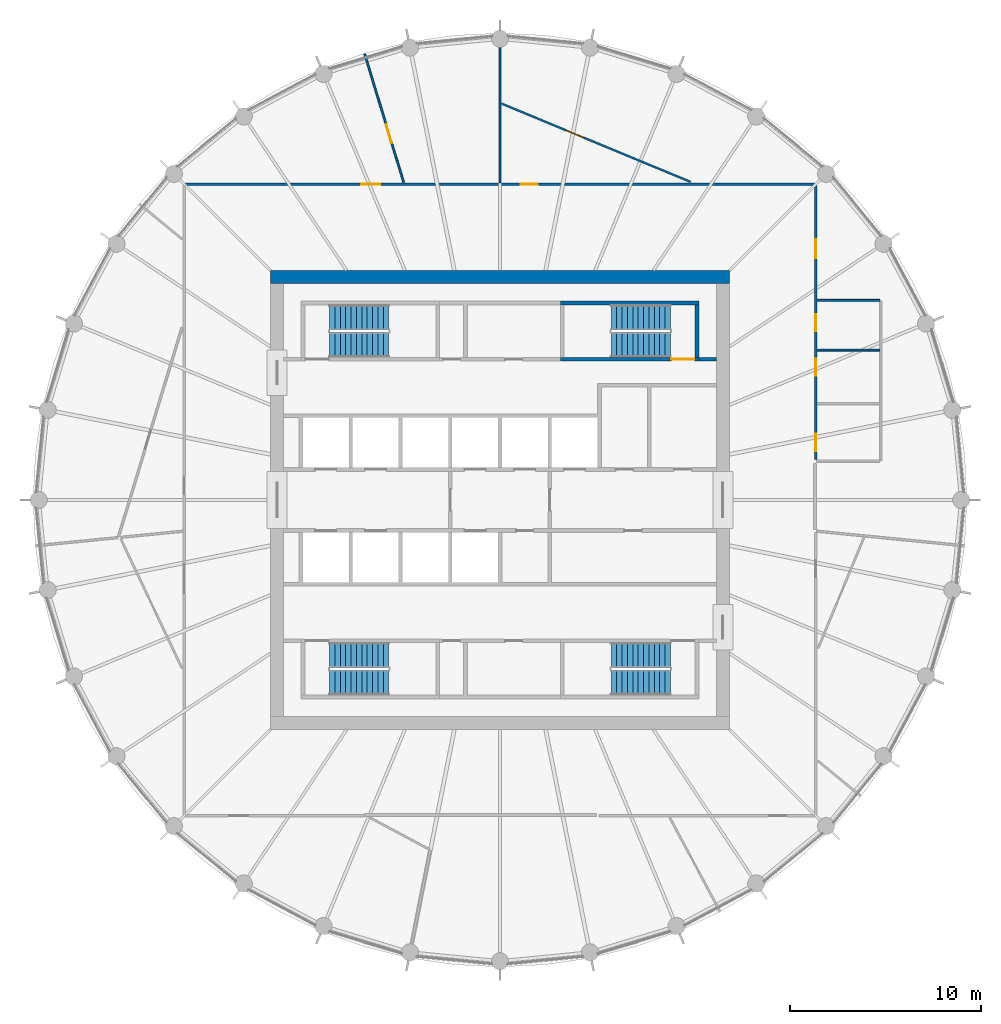
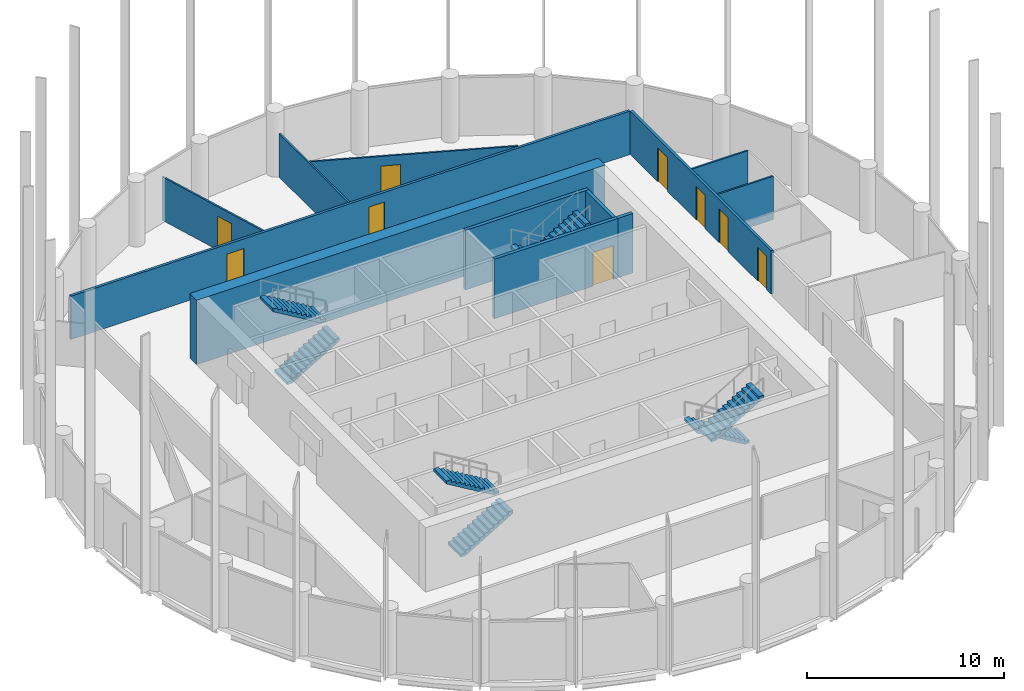
# One storey, part 6 of 7: 12 walls, 9 doors, 8 stair flights, 9 openings, 4 elements without a shape of their own.
"""IFC4 building model written with IfcOpenShell, lengths in metres."""

from ifc_helpers import new_model, si_unit, direction, frame, frame_2d, origin, place, context, subcontext, project, spatial, polyline, rectangle, outline, extrude, material, layer, layer_set, type_object, element, fill, aggregate, save


model = new_model("IFC4")

# Units and contexts
model_context = context("Model", 3, precision=1e-05, world=origin(), true_north=direction((0.0, 1.0)))
body_context = subcontext(model_context, "Body", "Model", "MODEL_VIEW")
ifc_project = project(units=[si_unit("LENGTHUNIT", "METRE"), si_unit("AREAUNIT", "SQUARE_METRE"), si_unit("VOLUMEUNIT", "CUBIC_METRE"), si_unit("PLANEANGLEUNIT", "RADIAN"), si_unit("MASSUNIT", "GRAM", prefix="KILO")], contexts=[model_context])

# Site, building, storey
site_placement = place(None, origin())
site = spatial("IfcSite", under=ifc_project, at=site_placement, CompositionType="ELEMENT")
building_placement = place(site_placement, origin())
building = spatial("IfcBuilding", under=site, at=building_placement, Name="Corvane Civic Tower", CompositionType="ELEMENT")
storey_placement = place(building_placement, frame((0.0, 0.0, 279.0)))
storey = spatial("IfcBuildingStorey", under=building, at=storey_placement, Name="L66", CompositionType="ELEMENT", Elevation=279.0)

# Walls
ifc_material_1 = material(Name="Concrete C40/50", Category="concrete")
ifc_layer_1 = layer(ifc_material_1, 0.699951171875)
ifc_layer_set_1 = layer_set([ifc_layer_1], Name="Concrete C40/50")
wall_type_1 = type_object("IfcWallType", Name="CORE WALL 700 C40/50", PredefinedType="SHEAR", material=ifc_layer_set_1)
wall_1_placement = place(storey_placement, frame((-12.0, 11.64990234375, 0.0), z_axis=(0.0, 0.0, 1.0), x_axis=(1.0, 0.0, 0.0)))
element("IfcWall", 1, at=wall_1_placement, inside=storey, type_object=wall_type_1, Name="W-L66-core-N", PredefinedType="SHEAR", context=body_context, shape_type="SweptSolid", body=[
    extrude(rectangle(XDim=24.0, YDim=0.699951171875, at=frame_2d((12.0, 0.0))), origin(), (0.0, 0.0, 1.0), 4.0),
])
ifc_material_2 = material(Name="Concrete C30/37", Category="concrete")
ifc_layer_2 = layer(ifc_material_2, 0.199951171875)
ifc_layer_set_2 = layer_set([ifc_layer_2], Name="Concrete C30/37")
wall_type_2 = type_object("IfcWallType", Name="CR-WALL-200", PredefinedType="PARTITIONING", material=ifc_layer_set_2)
wall_2_placement = place(storey_placement, origin())
element("IfcWall", 2, at=wall_2_placement, inside=storey, type_object=wall_type_2, Name="L66 core partition wall", PredefinedType="PARTITIONING", context=body_context, shape_type="SweptSolid", body=[
    extrude(outline(polyline([(10.39990234375, 7.25), (10.39990234375, 7.449951171875), (11.300048828125, 7.449951171875), (11.300048828125, 7.25), (10.39990234375, 7.25)])), origin(), (0.0, 0.0, 1.0), 3.699951171875),
])
ifc_material_3 = material(Name="Plasterboard")
ifc_layer_3 = layer(ifc_material_3, 0.10009765625)
ifc_layer_set_3 = layer_set([ifc_layer_3], Name="Plasterboard")
wall_type_3 = type_object("IfcWallType", Name="Partition 100 plasterboard on studs", PredefinedType="PARTITIONING", material=ifc_layer_set_3)
for number, where, z_axis, x_axis, name in (
    (3, (16.574951171875, 7.831298828125, 0.0), (0.0, 0.0, 1.0), (1.0, 0.0, 0.0), "Partition L66.021"),
    (4, (16.574951171875, 10.431396484375, 0.0), (0.0, 0.0, 1.0), (1.0, 0.0, 0.0), "Partition L66.023"),
):
    element("IfcWall", number, at=place(storey_placement, frame(where, z_axis=z_axis, x_axis=x_axis)), inside=storey, type_object=wall_type_3, Name=name, PredefinedType="PARTITIONING", context=body_context, shape_type="SweptSolid", body=[
        extrude(rectangle(XDim=3.275146484375, YDim=0.10009765625, at=frame_2d((1.6376953125, 0.0))), origin(), (0.0, 0.0, 1.0), 2.699951171875),
    ])
wall_3_placement = place(storey_placement, frame((0.0, 16.574951171875, 0.0), z_axis=(0.0, 0.0, 1.0), x_axis=(0.0, 1.0, 0.0)))
element("IfcWall", 5, at=wall_3_placement, inside=storey, type_object=wall_type_3, Name="Partition L66.026", PredefinedType="PARTITIONING", context=body_context, shape_type="SweptSolid", body=[
    extrude(rectangle(XDim=7.065185546875, YDim=0.10009765625, at=frame_2d((3.53271484375, 0.0))), origin(), (0.0, 0.0, 1.0), 2.699951171875),
])

# Wall, opening, door
wall_4_placement = place(storey_placement, frame((-7.068603515625, 23.3017578125, 0.0), z_axis=(0.0, 0.0, 1.0), x_axis=(0.290287534013, -0.956939469139, 0.0)))
wall_4 = element("IfcWall", 6, at=wall_4_placement, inside=storey, type_object=wall_type_3, Name="Partition L66.027", PredefinedType="PARTITIONING", context=body_context, shape_type="SweptSolid", body=[
    extrude(rectangle(XDim=7.01416015625, YDim=0.10009765625, at=frame_2d((3.507080078125, 0.0))), origin(), (0.0, 0.0, 1.0), 2.699951171875),
])
opening_1_placement = place(wall_4_placement, frame((3.8544921875, 0.0, 0.0)))
opening_1 = element("IfcOpeningElement", 7, at=opening_1_placement, cuts=wall_4, Name="Opening L66.015", PredefinedType="OPENING", context=body_context, shape_type="SweptSolid", body=[
    extrude(rectangle(XDim=1.0, YDim=2.10009765625, at=frame_2d((0.5, 1.050048828125))), frame((0.0, 0.06005859375, 0.0), z_axis=(0.0, -1.0, 0.0), x_axis=(1.0, 0.0, 0.0)), (0.0, 0.0, 1.0), 0.1201171875),
])
ifc_material_4 = material(Name="Timber", Category="wood")
door_type_1 = type_object("IfcDoorType", Name="Single door 1000", OperationType="NOTDEFINED", PredefinedType="DOOR", material=ifc_material_4)
door_1_placement = place(opening_1_placement, origin())
door_1 = element("IfcDoor", 8, at=door_1_placement, inside=storey, type_object=door_type_1, Name="Door L66.015", OperationType="SINGLE_SWING_LEFT", OverallHeight=2.10009765625, OverallWidth=1.0, PredefinedType="DOOR", context=body_context, shape_type="SweptSolid", body=[
    extrude(rectangle(XDim=1.0, YDim=2.10009765625, at=frame_2d((0.5, 1.050048828125))), frame((0.0, 0.02490234375, 0.0), z_axis=(0.0, -1.0, 0.0), x_axis=(1.0, 0.0, 0.0)), (0.0, 0.0, 1.0), 0.050048828125),
])
fill(opening_1, door_1)

wall_5_placement = place(storey_placement, frame((0.069091796875, 20.71728515625, 0.0), z_axis=(0.0, 0.0, 1.0), x_axis=(0.923877277296, -0.382688876891, 0.0)))
wall_5 = element("IfcWall", 9, at=wall_5_placement, inside=storey, type_object=wall_type_3, Name="Partition L66.028", PredefinedType="PARTITIONING", context=body_context, shape_type="SweptSolid", body=[
    extrude(rectangle(XDim=10.70361328125, YDim=0.10009765625, at=frame_2d((5.351806640625, 0.0))), origin(), (0.0, 0.0, 1.0), 2.699951171875),
])
opening_2_placement = place(wall_5_placement, frame((3.651123046875, 0.0, 0.0)))
opening_2 = element("IfcOpeningElement", 10, at=opening_2_placement, cuts=wall_5, Name="Opening L66.016", PredefinedType="OPENING", context=body_context, shape_type="SweptSolid", body=[
    extrude(rectangle(XDim=1.0, YDim=2.10009765625, at=frame_2d((0.5, 1.050048828125))), frame((0.0, 0.06005859375, 0.0), z_axis=(0.0, -1.0, 0.0), x_axis=(1.0, 0.0, 0.0)), (0.0, 0.0, 1.0), 0.1201171875),
])
door_2_placement = place(opening_2_placement, origin())
door_2 = element("IfcDoor", 11, at=door_2_placement, inside=storey, type_object=door_type_1, Name="Door L66.016", OperationType="SINGLE_SWING_LEFT", OverallHeight=2.10009765625, OverallWidth=1.0, PredefinedType="DOOR", context=body_context, shape_type="SweptSolid", body=[
    extrude(rectangle(XDim=1.0, YDim=2.10009765625, at=frame_2d((0.5, 1.050048828125))), frame((0.0, 0.02490234375, 0.0), z_axis=(0.0, -1.0, 0.0), x_axis=(1.0, 0.0, 0.0)), (0.0, 0.0, 1.0), 0.050048828125),
])
fill(opening_2, door_2)

ifc_material_5 = material(Name="Concrete C50/60", Category="concrete")
ifc_layer_4 = layer(ifc_material_5, 0.199951171875)
ifc_layer_set_4 = layer_set([ifc_layer_4], Name="Concrete C50/60")
wall_type_4 = type_object("IfcWallType", Name="ST-WALL-200", PredefinedType="SHEAR", material=ifc_layer_set_4)
wall_6_placement = place(storey_placement, frame((3.14990234375, 7.35009765625, 0.0), z_axis=(0.0, 0.0, 1.0), x_axis=(1.0, 0.0, 0.0)))
wall_6 = element("IfcWall", 12, at=wall_6_placement, inside=storey, type_object=wall_type_4, Name="L66 stair enclosure wall", PredefinedType="SHEAR", context=body_context, shape_type="SweptSolid", body=[
    extrude(rectangle(XDim=7.25, YDim=0.199951171875, at=frame_2d((3.625, 0.0))), origin(), (0.0, 0.0, 1.0), 3.699951171875),
])
opening_3_placement = place(wall_6_placement, frame((5.800048828125, 0.0, 0.0)))
opening_3 = element("IfcOpeningElement", 13, at=opening_3_placement, cuts=wall_6, Name="Opening L66.C09", PredefinedType="OPENING", context=body_context, shape_type="SweptSolid", body=[
    extrude(rectangle(XDim=1.199951171875, YDim=2.10009765625, at=frame_2d((0.60009765625, 1.050048828125))), frame((0.0, 0.10986328125, 0.0), z_axis=(0.0, -1.0, 0.0), x_axis=(1.0, 0.0, 0.0)), (0.0, 0.0, 1.0), 0.219970703125),
])
ifc_material_6 = material(Name="Steel fire door leaf", Category="steel")
door_type_2 = type_object("IfcDoorType", Name="ST-DOOR-1200", OperationType="SINGLE_SWING_RIGHT", PredefinedType="DOOR", material=ifc_material_6)
door_3_placement = place(opening_3_placement, origin())
door_3 = element("IfcDoor", 14, at=door_3_placement, inside=storey, type_object=door_type_2, Name="L66 stair door", OperationType="SINGLE_SWING_RIGHT", OverallHeight=2.10009765625, OverallWidth=1.199951171875, PredefinedType="DOOR", context=body_context, shape_type="SweptSolid", body=[
    extrude(rectangle(XDim=1.199951171875, YDim=2.10009765625, at=frame_2d((0.60009765625, 1.050048828125))), frame((0.0, 0.02490234375, 0.0), z_axis=(0.0, -1.0, 0.0), x_axis=(1.0, 0.0, 0.0)), (0.0, 0.0, 1.0), 0.050048828125),
])
fill(opening_3, door_3)

# Walls
wall_7_placement = place(storey_placement, origin())
element("IfcWall", 15, at=wall_7_placement, inside=storey, type_object=wall_type_4, Name="L66 stair enclosure wall", PredefinedType="SHEAR", context=body_context, shape_type="SweptSolid", body=[
    extrude(outline(polyline([(10.39990234375, 10.199951171875), (3.14990234375, 10.199951171875), (3.14990234375, 10.39990234375), (10.39990234375, 10.39990234375), (10.39990234375, 10.199951171875)])), origin(), (0.0, 0.0, 1.0), 3.699951171875),
])
wall_8_placement = place(storey_placement, origin())
element("IfcWall", 16, at=wall_8_placement, inside=storey, type_object=wall_type_4, Name="L66 stair enclosure wall", PredefinedType="SHEAR", context=body_context, shape_type="SweptSolid", body=[
    extrude(outline(polyline([(10.39990234375, 7.449951171875), (10.199951171875, 7.449951171875), (10.199951171875, 10.199951171875), (10.39990234375, 10.199951171875), (10.39990234375, 7.449951171875)])), origin(), (0.0, 0.0, 1.0), 3.699951171875),
])

# Wall, openings, doors
ifc_material_7 = material(Name="Plasterboard")
ifc_layer_5 = layer(ifc_material_7, 0.14990234375)
ifc_layer_set_5 = layer_set([ifc_layer_5], Name="Plasterboard")
wall_type_5 = type_object("IfcWallType", Name="Tenancy wall 150 EI 60", PredefinedType="PARTITIONING", material=ifc_layer_set_5)
wall_9_placement = place(storey_placement, frame((16.5, 2.1064453125, 0.0), z_axis=(0.0, 0.0, 1.0), x_axis=(0.0, 1.0, 0.0)))
wall_9 = element("IfcWall", 17, at=wall_9_placement, inside=storey, type_object=wall_type_5, Name="Partition L66.019", PredefinedType="PARTITIONING", context=body_context, shape_type="SweptSolid", body=[
    extrude(rectangle(XDim=14.318603515625, YDim=0.14990234375, at=frame_2d((7.1591796875, 0.0))), origin(), (0.0, 0.0, 1.0), 2.699951171875),
])
opening_4_placement = place(wall_9_placement, frame((10.5234375, 0.0, 0.0)))
opening_4 = element("IfcOpeningElement", 18, at=opening_4_placement, cuts=wall_9, Name="Opening L66.001", PredefinedType="OPENING", context=body_context, shape_type="SweptSolid", body=[
    extrude(rectangle(XDim=1.0, YDim=2.10009765625, at=frame_2d((0.5, 1.050048828125))), frame((0.0, 0.0849609375, 0.0), z_axis=(0.0, -1.0, 0.0), x_axis=(1.0, 0.0, 0.0)), (0.0, 0.0, 1.0), 0.169921875),
])
opening_5_placement = place(wall_9_placement, frame((0.45068359375, 0.0, 0.0)))
opening_5 = element("IfcOpeningElement", 19, at=opening_5_placement, cuts=wall_9, Name="Opening L66.002", PredefinedType="OPENING", context=body_context, shape_type="SweptSolid", body=[
    extrude(rectangle(XDim=0.89990234375, YDim=2.10009765625, at=frame_2d((0.449951171875, 1.050048828125))), frame((0.0, 0.0849609375, 0.0), z_axis=(0.0, -1.0, 0.0), x_axis=(1.0, 0.0, 0.0)), (0.0, 0.0, 1.0), 0.169921875),
])
opening_6_placement = place(wall_9_placement, frame((4.3818359375, 0.0, 0.0)))
opening_6 = element("IfcOpeningElement", 20, at=opening_6_placement, cuts=wall_9, Name="Opening L66.003", PredefinedType="OPENING", context=body_context, shape_type="SweptSolid", body=[
    extrude(rectangle(XDim=0.89990234375, YDim=2.10009765625, at=frame_2d((0.449951171875, 1.050048828125))), frame((0.0, 0.0849609375, 0.0), z_axis=(0.0, -1.0, 0.0), x_axis=(1.0, 0.0, 0.0)), (0.0, 0.0, 1.0), 0.169921875),
])
opening_7_placement = place(wall_9_placement, frame((6.70166015625, 0.0, 0.0)))
opening_7 = element("IfcOpeningElement", 21, at=opening_7_placement, cuts=wall_9, Name="Opening L66.004", PredefinedType="OPENING", context=body_context, shape_type="SweptSolid", body=[
    extrude(rectangle(XDim=0.89990234375, YDim=2.10009765625, at=frame_2d((0.449951171875, 1.050048828125))), frame((0.0, 0.0849609375, 0.0), z_axis=(0.0, -1.0, 0.0), x_axis=(1.0, 0.0, 0.0)), (0.0, 0.0, 1.0), 0.169921875),
])
ifc_material_8 = material(Name="Steel and timber", Category="steel")
door_type_3 = type_object("IfcDoorType", Name="Fire door FD30S 1000", OperationType="NOTDEFINED", PredefinedType="DOOR", material=ifc_material_8)
door_4_placement = place(opening_4_placement, frame((1.0, 0.0, 0.0), z_axis=(0.0, 0.0, 1.0), x_axis=(-1.0, 0.0, 0.0)))
door_4 = element("IfcDoor", 22, at=door_4_placement, inside=storey, type_object=door_type_3, Name="Door L66.001", OperationType="SINGLE_SWING_LEFT", OverallHeight=2.10009765625, OverallWidth=1.0, PredefinedType="DOOR", context=body_context, shape_type="SweptSolid", body=[
    extrude(rectangle(XDim=1.0, YDim=2.10009765625, at=frame_2d((0.5, 1.050048828125))), frame((0.0, 0.02490234375, 0.0), z_axis=(0.0, -1.0, 0.0), x_axis=(1.0, 0.0, 0.0)), (0.0, 0.0, 1.0), 0.050048828125),
])
fill(opening_4, door_4)
ifc_material_9 = material(Name="Steel and timber", Category="steel")
door_type_4 = type_object("IfcDoorType", Name="Fire door FD30S 900", OperationType="NOTDEFINED", PredefinedType="DOOR", material=ifc_material_9)
door_5_placement = place(opening_5_placement, frame((0.89990234375, 0.0, 0.0), z_axis=(0.0, 0.0, 1.0), x_axis=(-1.0, 0.0, 0.0)))
door_5 = element("IfcDoor", 23, at=door_5_placement, inside=storey, type_object=door_type_4, Name="Door L66.002", OperationType="SINGLE_SWING_RIGHT", OverallHeight=2.10009765625, OverallWidth=0.89990234375, PredefinedType="DOOR", context=body_context, shape_type="SweptSolid", body=[
    extrude(rectangle(XDim=0.89990234375, YDim=2.10009765625, at=frame_2d((0.449951171875, 1.050048828125))), frame((0.0, 0.02490234375, 0.0), z_axis=(0.0, -1.0, 0.0), x_axis=(1.0, 0.0, 0.0)), (0.0, 0.0, 1.0), 0.050048828125),
])
fill(opening_5, door_5)
door_6_placement = place(opening_6_placement, frame((0.89990234375, 0.0, 0.0), z_axis=(0.0, 0.0, 1.0), x_axis=(-1.0, 0.0, 0.0)))
door_6 = element("IfcDoor", 24, at=door_6_placement, inside=storey, type_object=door_type_4, Name="Door L66.003", OperationType="SINGLE_SWING_LEFT", OverallHeight=2.10009765625, OverallWidth=0.89990234375, PredefinedType="DOOR", context=body_context, shape_type="SweptSolid", body=[
    extrude(rectangle(XDim=0.89990234375, YDim=2.10009765625, at=frame_2d((0.449951171875, 1.050048828125))), frame((0.0, 0.02490234375, 0.0), z_axis=(0.0, -1.0, 0.0), x_axis=(1.0, 0.0, 0.0)), (0.0, 0.0, 1.0), 0.050048828125),
])
fill(opening_6, door_6)
door_7_placement = place(opening_7_placement, frame((0.89990234375, 0.0, 0.0), z_axis=(0.0, 0.0, 1.0), x_axis=(-1.0, 0.0, 0.0)))
door_7 = element("IfcDoor", 25, at=door_7_placement, inside=storey, type_object=door_type_4, Name="Door L66.004", OperationType="SINGLE_SWING_LEFT", OverallHeight=2.10009765625, OverallWidth=0.89990234375, PredefinedType="DOOR", context=body_context, shape_type="SweptSolid", body=[
    extrude(rectangle(XDim=0.89990234375, YDim=2.10009765625, at=frame_2d((0.449951171875, 1.050048828125))), frame((0.0, 0.02490234375, 0.0), z_axis=(0.0, -1.0, 0.0), x_axis=(1.0, 0.0, 0.0)), (0.0, 0.0, 1.0), 0.050048828125),
])
fill(opening_7, door_7)

wall_10_placement = place(storey_placement, frame((-16.425048828125, 16.5, 0.0), z_axis=(0.0, 0.0, 1.0), x_axis=(1.0, 0.0, 0.0)))
wall_10 = element("IfcWall", 26, at=wall_10_placement, inside=storey, type_object=wall_type_5, Name="Partition L66.025", PredefinedType="PARTITIONING", context=body_context, shape_type="SweptSolid", body=[
    extrude(rectangle(XDim=32.85009765625, YDim=0.14990234375, at=frame_2d((16.425048828125, 0.0))), origin(), (0.0, 0.0, 1.0), 2.699951171875),
])
opening_8_placement = place(wall_10_placement, frame((9.1689453125, 0.0, 0.0)))
opening_8 = element("IfcOpeningElement", 27, at=opening_8_placement, cuts=wall_10, Name="Opening L66.014", PredefinedType="OPENING", context=body_context, shape_type="SweptSolid", body=[
    extrude(rectangle(XDim=1.0, YDim=2.10009765625, at=frame_2d((0.5, 1.050048828125))), frame((0.0, 0.0849609375, 0.0), z_axis=(0.0, -1.0, 0.0), x_axis=(1.0, 0.0, 0.0)), (0.0, 0.0, 1.0), 0.169921875),
])
opening_9_placement = place(wall_10_placement, frame((17.50390625, 0.0, 0.0)))
opening_9 = element("IfcOpeningElement", 28, at=opening_9_placement, cuts=wall_10, Name="Opening L66.017", PredefinedType="OPENING", context=body_context, shape_type="SweptSolid", body=[
    extrude(rectangle(XDim=0.89990234375, YDim=2.10009765625, at=frame_2d((0.449951171875, 1.050048828125))), frame((0.0, 0.0849609375, 0.0), z_axis=(0.0, -1.0, 0.0), x_axis=(1.0, 0.0, 0.0)), (0.0, 0.0, 1.0), 0.169921875),
])
door_8_placement = place(opening_8_placement, origin())
door_8 = element("IfcDoor", 29, at=door_8_placement, inside=storey, type_object=door_type_3, Name="Door L66.014", OperationType="SINGLE_SWING_RIGHT", OverallHeight=2.10009765625, OverallWidth=1.0, PredefinedType="DOOR", context=body_context, shape_type="SweptSolid", body=[
    extrude(rectangle(XDim=1.0, YDim=2.10009765625, at=frame_2d((0.5, 1.050048828125))), frame((0.0, 0.02490234375, 0.0), z_axis=(0.0, -1.0, 0.0), x_axis=(1.0, 0.0, 0.0)), (0.0, 0.0, 1.0), 0.050048828125),
])
fill(opening_8, door_8)
door_9_placement = place(opening_9_placement, origin())
door_9 = element("IfcDoor", 30, at=door_9_placement, inside=storey, type_object=door_type_4, Name="Door L66.017", OperationType="SINGLE_SWING_RIGHT", OverallHeight=2.10009765625, OverallWidth=0.89990234375, PredefinedType="DOOR", context=body_context, shape_type="SweptSolid", body=[
    extrude(rectangle(XDim=0.89990234375, YDim=2.10009765625, at=frame_2d((0.449951171875, 1.050048828125))), frame((0.0, 0.02490234375, 0.0), z_axis=(0.0, -1.0, 0.0), x_axis=(1.0, 0.0, 0.0)), (0.0, 0.0, 1.0), 0.050048828125),
])
fill(opening_9, door_9)

# Stair, stair flights
ifc_material_10 = material(Name="Concrete C40/50", Category="concrete")
stair_type = type_object("IfcStairType", Name="ST-STAIR-HALFTURN", PredefinedType="HALF_TURN_STAIR", material=ifc_material_10)
stair_1_placement = place(storey_placement, origin())
stair_1 = element("IfcStair", 31, at=stair_1_placement, inside=storey, type_object=stair_type, Name="L66 Exit stair ST1", PredefinedType="HALF_TURN_STAIR")
ifc_material_11 = material(Name="Concrete C40/50", Category="concrete")
stair_flight_type = type_object("IfcStairFlightType", Name="ST-FLIGHT-RC", PredefinedType="STRAIGHT", material=ifc_material_11)
stair_flight_1_placement = place(storey_placement, frame((8.89990234375, 9.550048828125, 0.0), z_axis=(0.0, 0.0, 1.0), x_axis=(-1.0, 0.0, 0.0)))
stair_flight_1 = element("IfcStairFlight", 32, at=stair_flight_1_placement, type_object=stair_flight_type, Name="ST1 flight 1", NumberOfRisers=12, NumberOfTreads=11, PredefinedType="STRAIGHT", RiserHeight=0.166666667, TreadLength=0.28, context=body_context, shape_type="SweptSolid", body=[
    extrude(outline(polyline([(0.0, 0.0), (0.0, 0.166748046875), (0.280029296875, 0.166748046875), (0.280029296875, 0.333251953125), (0.56005859375, 0.333251953125), (0.56005859375, 0.5), (0.840087890625, 0.5), (0.840087890625, 0.666748046875), (1.1201171875, 0.666748046875), (1.1201171875, 0.833251953125), (1.39990234375, 0.833251953125), (1.39990234375, 1.0), (1.679931640625, 1.0), (1.679931640625, 1.166748046875), (1.9599609375, 1.166748046875), (1.9599609375, 1.333251953125), (2.239990234375, 1.333251953125), (2.239990234375, 1.5), (2.52001953125, 1.5), (2.52001953125, 1.666748046875), (2.800048828125, 1.666748046875), (2.800048828125, 1.833251953125), (3.080078125, 1.833251953125), (3.080078125, 2.0), (3.080078125, 1.658935546875), (0.29296875, 0.0), (0.0, 0.0)])), frame((0.0, 0.64990234375, 0.0), z_axis=(0.0, -1.0, 0.0), x_axis=(1.0, 0.0, 0.0)), (0.0, 0.0, 1.0), 1.300048828125),
])
stair_flight_2_placement = place(storey_placement, frame((5.820068359375, 8.10009765625, 2.0), z_axis=(0.0, 0.0, 1.0), x_axis=(1.0, 0.0, 0.0)))
stair_flight_2 = element("IfcStairFlight", 33, at=stair_flight_2_placement, type_object=stair_flight_type, Name="ST1 flight 2", NumberOfRisers=12, NumberOfTreads=11, PredefinedType="STRAIGHT", RiserHeight=0.166666667, TreadLength=0.28, context=body_context, shape_type="SweptSolid", body=[
    extrude(outline(polyline([(0.0, 0.0), (0.0, 0.166748046875), (0.280029296875, 0.166748046875), (0.280029296875, 0.333251953125), (0.56005859375, 0.333251953125), (0.56005859375, 0.5), (0.840087890625, 0.5), (0.840087890625, 0.666748046875), (1.1201171875, 0.666748046875), (1.1201171875, 0.833251953125), (1.39990234375, 0.833251953125), (1.39990234375, 1.0), (1.679931640625, 1.0), (1.679931640625, 1.166748046875), (1.9599609375, 1.166748046875), (1.9599609375, 1.333251953125), (2.239990234375, 1.333251953125), (2.239990234375, 1.5), (2.52001953125, 1.5), (2.52001953125, 1.666748046875), (2.800048828125, 1.666748046875), (2.800048828125, 1.833251953125), (3.080078125, 1.833251953125), (3.080078125, 2.0), (3.080078125, 1.658935546875), (0.29296875, 0.0), (0.0, 0.0)])), frame((0.0, 0.64990234375, 0.0), z_axis=(0.0, -1.0, 0.0), x_axis=(1.0, 0.0, 0.0)), (0.0, 0.0, 1.0), 1.300048828125),
])
aggregate(stair_1, [stair_flight_1, stair_flight_2])

stair_2_placement = place(storey_placement, origin())
stair_2 = element("IfcStair", 34, at=stair_2_placement, inside=storey, type_object=stair_type, Name="L66 Exit stair ST2", PredefinedType="HALF_TURN_STAIR")
stair_flight_3_placement = place(storey_placement, frame((8.89990234375, -8.10009765625, 0.0), z_axis=(0.0, 0.0, 1.0), x_axis=(-1.0, 0.0, 0.0)))
stair_flight_3 = element("IfcStairFlight", 35, at=stair_flight_3_placement, type_object=stair_flight_type, Name="ST2 flight 1", NumberOfRisers=12, NumberOfTreads=11, PredefinedType="STRAIGHT", RiserHeight=0.166666667, TreadLength=0.28, context=body_context, shape_type="SweptSolid", body=[
    extrude(outline(polyline([(0.0, 0.0), (0.0, 0.166748046875), (0.280029296875, 0.166748046875), (0.280029296875, 0.333251953125), (0.56005859375, 0.333251953125), (0.56005859375, 0.5), (0.840087890625, 0.5), (0.840087890625, 0.666748046875), (1.1201171875, 0.666748046875), (1.1201171875, 0.833251953125), (1.39990234375, 0.833251953125), (1.39990234375, 1.0), (1.679931640625, 1.0), (1.679931640625, 1.166748046875), (1.9599609375, 1.166748046875), (1.9599609375, 1.333251953125), (2.239990234375, 1.333251953125), (2.239990234375, 1.5), (2.52001953125, 1.5), (2.52001953125, 1.666748046875), (2.800048828125, 1.666748046875), (2.800048828125, 1.833251953125), (3.080078125, 1.833251953125), (3.080078125, 2.0), (3.080078125, 1.658935546875), (0.29296875, 0.0), (0.0, 0.0)])), frame((0.0, 0.64990234375, 0.0), z_axis=(0.0, -1.0, 0.0), x_axis=(1.0, 0.0, 0.0)), (0.0, 0.0, 1.0), 1.300048828125),
])
stair_flight_4_placement = place(storey_placement, frame((5.820068359375, -9.550048828125, 2.0), z_axis=(0.0, 0.0, 1.0), x_axis=(1.0, 0.0, 0.0)))
stair_flight_4 = element("IfcStairFlight", 36, at=stair_flight_4_placement, type_object=stair_flight_type, Name="ST2 flight 2", NumberOfRisers=12, NumberOfTreads=11, PredefinedType="STRAIGHT", RiserHeight=0.166666667, TreadLength=0.28, context=body_context, shape_type="SweptSolid", body=[
    extrude(outline(polyline([(0.0, 0.0), (0.0, 0.166748046875), (0.280029296875, 0.166748046875), (0.280029296875, 0.333251953125), (0.56005859375, 0.333251953125), (0.56005859375, 0.5), (0.840087890625, 0.5), (0.840087890625, 0.666748046875), (1.1201171875, 0.666748046875), (1.1201171875, 0.833251953125), (1.39990234375, 0.833251953125), (1.39990234375, 1.0), (1.679931640625, 1.0), (1.679931640625, 1.166748046875), (1.9599609375, 1.166748046875), (1.9599609375, 1.333251953125), (2.239990234375, 1.333251953125), (2.239990234375, 1.5), (2.52001953125, 1.5), (2.52001953125, 1.666748046875), (2.800048828125, 1.666748046875), (2.800048828125, 1.833251953125), (3.080078125, 1.833251953125), (3.080078125, 2.0), (3.080078125, 1.658935546875), (0.29296875, 0.0), (0.0, 0.0)])), frame((0.0, 0.64990234375, 0.0), z_axis=(0.0, -1.0, 0.0), x_axis=(1.0, 0.0, 0.0)), (0.0, 0.0, 1.0), 1.300048828125),
])
aggregate(stair_2, [stair_flight_3, stair_flight_4])

stair_3_placement = place(storey_placement, origin())
stair_3 = element("IfcStair", 37, at=stair_3_placement, inside=storey, type_object=stair_type, Name="L66 Exit stair ST3", PredefinedType="HALF_TURN_STAIR")
stair_flight_5_placement = place(storey_placement, frame((-8.89990234375, -9.550048828125, 0.0), z_axis=(0.0, 0.0, 1.0), x_axis=(1.0, 0.0, 0.0)))
stair_flight_5 = element("IfcStairFlight", 38, at=stair_flight_5_placement, type_object=stair_flight_type, Name="ST3 flight 1", NumberOfRisers=12, NumberOfTreads=11, PredefinedType="STRAIGHT", RiserHeight=0.166666667, TreadLength=0.28, context=body_context, shape_type="SweptSolid", body=[
    extrude(outline(polyline([(0.0, 0.0), (0.0, 0.166748046875), (0.280029296875, 0.166748046875), (0.280029296875, 0.333251953125), (0.56005859375, 0.333251953125), (0.56005859375, 0.5), (0.840087890625, 0.5), (0.840087890625, 0.666748046875), (1.1201171875, 0.666748046875), (1.1201171875, 0.833251953125), (1.39990234375, 0.833251953125), (1.39990234375, 1.0), (1.679931640625, 1.0), (1.679931640625, 1.166748046875), (1.9599609375, 1.166748046875), (1.9599609375, 1.333251953125), (2.239990234375, 1.333251953125), (2.239990234375, 1.5), (2.52001953125, 1.5), (2.52001953125, 1.666748046875), (2.800048828125, 1.666748046875), (2.800048828125, 1.833251953125), (3.080078125, 1.833251953125), (3.080078125, 2.0), (3.080078125, 1.658935546875), (0.29296875, 0.0), (0.0, 0.0)])), frame((0.0, 0.64990234375, 0.0), z_axis=(0.0, -1.0, 0.0), x_axis=(1.0, 0.0, 0.0)), (0.0, 0.0, 1.0), 1.300048828125),
])
stair_flight_6_placement = place(storey_placement, frame((-5.820068359375, -8.10009765625, 2.0), z_axis=(0.0, 0.0, 1.0), x_axis=(-1.0, 0.0, 0.0)))
stair_flight_6 = element("IfcStairFlight", 39, at=stair_flight_6_placement, type_object=stair_flight_type, Name="ST3 flight 2", NumberOfRisers=12, NumberOfTreads=11, PredefinedType="STRAIGHT", RiserHeight=0.166666667, TreadLength=0.28, context=body_context, shape_type="SweptSolid", body=[
    extrude(outline(polyline([(0.0, 0.0), (0.0, 0.166748046875), (0.280029296875, 0.166748046875), (0.280029296875, 0.333251953125), (0.56005859375, 0.333251953125), (0.56005859375, 0.5), (0.840087890625, 0.5), (0.840087890625, 0.666748046875), (1.1201171875, 0.666748046875), (1.1201171875, 0.833251953125), (1.39990234375, 0.833251953125), (1.39990234375, 1.0), (1.679931640625, 1.0), (1.679931640625, 1.166748046875), (1.9599609375, 1.166748046875), (1.9599609375, 1.333251953125), (2.239990234375, 1.333251953125), (2.239990234375, 1.5), (2.52001953125, 1.5), (2.52001953125, 1.666748046875), (2.800048828125, 1.666748046875), (2.800048828125, 1.833251953125), (3.080078125, 1.833251953125), (3.080078125, 2.0), (3.080078125, 1.658935546875), (0.29296875, 0.0), (0.0, 0.0)])), frame((0.0, 0.64990234375, 0.0), z_axis=(0.0, -1.0, 0.0), x_axis=(1.0, 0.0, 0.0)), (0.0, 0.0, 1.0), 1.300048828125),
])
aggregate(stair_3, [stair_flight_5, stair_flight_6])

stair_4_placement = place(storey_placement, origin())
stair_4 = element("IfcStair", 40, at=stair_4_placement, inside=storey, type_object=stair_type, Name="L66 Exit stair ST4", PredefinedType="HALF_TURN_STAIR")
stair_flight_7_placement = place(storey_placement, frame((-8.89990234375, 8.10009765625, 0.0), z_axis=(0.0, 0.0, 1.0), x_axis=(1.0, 0.0, 0.0)))
stair_flight_7 = element("IfcStairFlight", 41, at=stair_flight_7_placement, type_object=stair_flight_type, Name="ST4 flight 1", NumberOfRisers=12, NumberOfTreads=11, PredefinedType="STRAIGHT", RiserHeight=0.166666667, TreadLength=0.28, context=body_context, shape_type="SweptSolid", body=[
    extrude(outline(polyline([(0.0, 0.0), (0.0, 0.166748046875), (0.280029296875, 0.166748046875), (0.280029296875, 0.333251953125), (0.56005859375, 0.333251953125), (0.56005859375, 0.5), (0.840087890625, 0.5), (0.840087890625, 0.666748046875), (1.1201171875, 0.666748046875), (1.1201171875, 0.833251953125), (1.39990234375, 0.833251953125), (1.39990234375, 1.0), (1.679931640625, 1.0), (1.679931640625, 1.166748046875), (1.9599609375, 1.166748046875), (1.9599609375, 1.333251953125), (2.239990234375, 1.333251953125), (2.239990234375, 1.5), (2.52001953125, 1.5), (2.52001953125, 1.666748046875), (2.800048828125, 1.666748046875), (2.800048828125, 1.833251953125), (3.080078125, 1.833251953125), (3.080078125, 2.0), (3.080078125, 1.658935546875), (0.29296875, 0.0), (0.0, 0.0)])), frame((0.0, 0.64990234375, 0.0), z_axis=(0.0, -1.0, 0.0), x_axis=(1.0, 0.0, 0.0)), (0.0, 0.0, 1.0), 1.300048828125),
])
stair_flight_8_placement = place(storey_placement, frame((-5.820068359375, 9.550048828125, 2.0), z_axis=(0.0, 0.0, 1.0), x_axis=(-1.0, 0.0, 0.0)))
stair_flight_8 = element("IfcStairFlight", 42, at=stair_flight_8_placement, type_object=stair_flight_type, Name="ST4 flight 2", NumberOfRisers=12, NumberOfTreads=11, PredefinedType="STRAIGHT", RiserHeight=0.166666667, TreadLength=0.28, context=body_context, shape_type="SweptSolid", body=[
    extrude(outline(polyline([(0.0, 0.0), (0.0, 0.166748046875), (0.280029296875, 0.166748046875), (0.280029296875, 0.333251953125), (0.56005859375, 0.333251953125), (0.56005859375, 0.5), (0.840087890625, 0.5), (0.840087890625, 0.666748046875), (1.1201171875, 0.666748046875), (1.1201171875, 0.833251953125), (1.39990234375, 0.833251953125), (1.39990234375, 1.0), (1.679931640625, 1.0), (1.679931640625, 1.166748046875), (1.9599609375, 1.166748046875), (1.9599609375, 1.333251953125), (2.239990234375, 1.333251953125), (2.239990234375, 1.5), (2.52001953125, 1.5), (2.52001953125, 1.666748046875), (2.800048828125, 1.666748046875), (2.800048828125, 1.833251953125), (3.080078125, 1.833251953125), (3.080078125, 2.0), (3.080078125, 1.658935546875), (0.29296875, 0.0), (0.0, 0.0)])), frame((0.0, 0.64990234375, 0.0), z_axis=(0.0, -1.0, 0.0), x_axis=(1.0, 0.0, 0.0)), (0.0, 0.0, 1.0), 1.300048828125),
])
aggregate(stair_4, [stair_flight_7, stair_flight_8])

save(model, "model.ifc")
